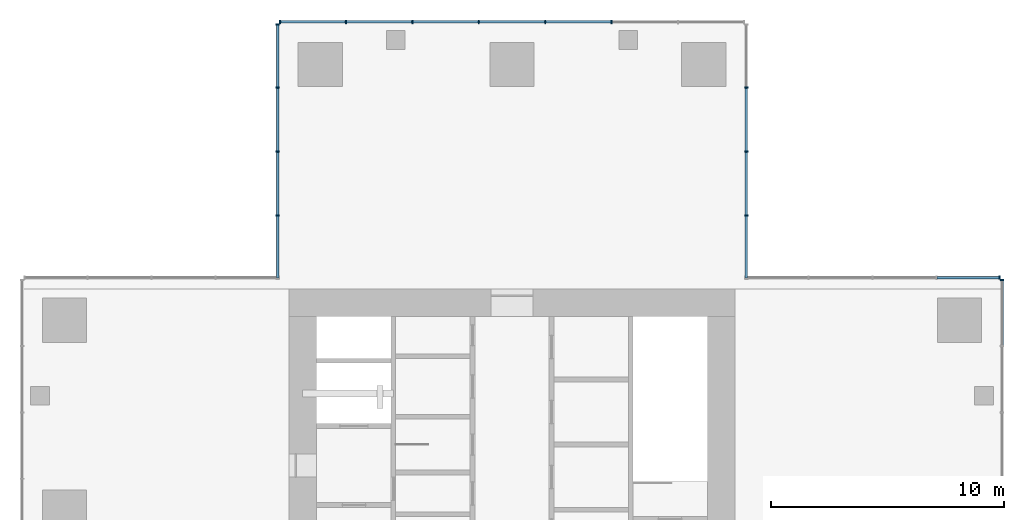
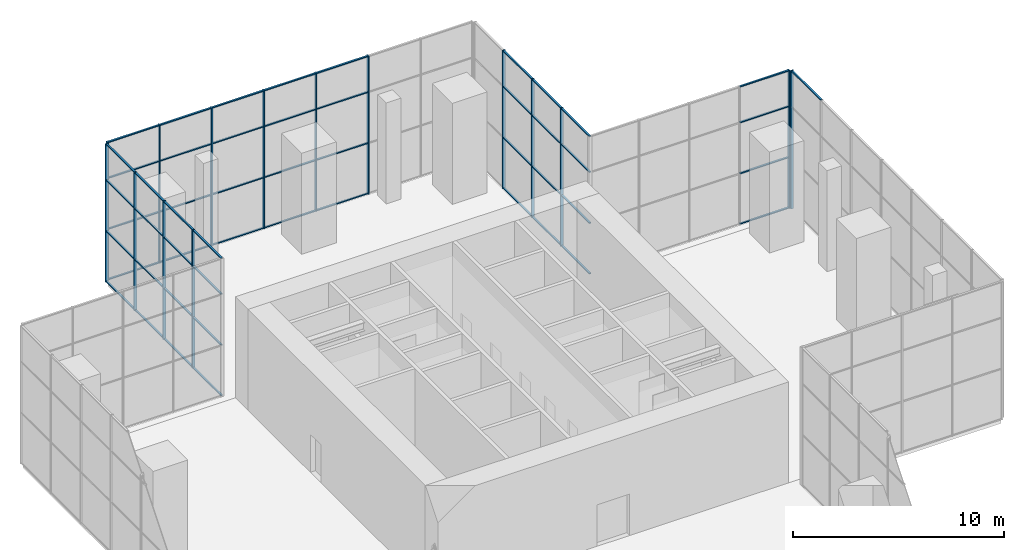
# One storey, part 6 of 12: 68 members, 5 elements without a shape of their own.
"""IFC4 building model written with IfcOpenShell, lengths in metres."""

from ifc_helpers import new_model, si_unit, direction, frame, origin, origin_2d, place, context, subcontext, project, spatial, rectangle, extrude, material, material_profile, profile_set, type_object, element, aggregate, save


model = new_model("IFC4")

# Units and contexts
model_context = context("Model", 3, precision=1e-05, world=origin(), true_north=direction((0.0, 1.0)))
body_context = subcontext(model_context, "Body", "Model", "MODEL_VIEW")
ifc_project = project(units=[si_unit("LENGTHUNIT", "METRE"), si_unit("AREAUNIT", "SQUARE_METRE"), si_unit("VOLUMEUNIT", "CUBIC_METRE"), si_unit("PLANEANGLEUNIT", "RADIAN"), si_unit("MASSUNIT", "GRAM", prefix="KILO")], contexts=[model_context])

# Site, building, storey
site_placement = place(None, origin())
site = spatial("IfcSite", under=ifc_project, at=site_placement, CompositionType="ELEMENT")
building_placement = place(site_placement, origin())
building = spatial("IfcBuilding", under=site, at=building_placement, Name="Svetlomir Tower", CompositionType="ELEMENT")
storey_placement = place(building_placement, frame((0.0, 0.0, 283.89990234375)))
storey = spatial("IfcBuildingStorey", under=building, at=storey_placement, Name="L67", CompositionType="ELEMENT", Elevation=283.89990234375)

# Curtain wall, member
ifc_material_1 = material(Name="Bronze anodised aluminium curtain wall", Category="aluminium")
curtain_wall_type = type_object("IfcCurtainWallType", Name="CURTAIN WALL CW6 LANTERN", PredefinedType="NOTDEFINED", material=ifc_material_1)
curtain_wall_1_placement = place(storey_placement, origin())
curtain_wall_1 = element("IfcCurtainWall", 1, at=curtain_wall_1_placement, inside=storey, type_object=curtain_wall_type, Name="Curtain wall CW6 L67", PredefinedType="NOTDEFINED")
ifc_material_2 = material(Name="Bronze anodised aluminium", Category="aluminium")
ifc_material_profile_1 = material_profile(ifc_material_2, rectangle(XDim=0.06005859375, YDim=0.159912109375, at=origin_2d()), Name="AL 60x160")
ifc_profile_set_1 = profile_set([ifc_material_profile_1], Name="Bronze anodised aluminium 6063-T6")
member_type_1 = type_object("IfcMemberType", Name="CW6 MULLION 60x160", PredefinedType="MULLION", material=ifc_profile_set_1)
member_1_placement = place(storey_placement, frame((42.080078125, 30.969970703125, 0.0), z_axis=(0.0, 0.0, 1.0), x_axis=(0.0, 1.0, 0.0)))
member_1 = element("IfcMember", 2, at=member_1_placement, type_object=member_type_1, Name="CW6 mullion 8", PredefinedType="MULLION", context=body_context, shape_type="SweptSolid", body=[
    extrude(rectangle(XDim=0.06005859375, YDim=0.159912109375, at=origin_2d()), origin(), (0.0, 0.0, 1.0), 8.0),
])

curtain_wall_2_placement = place(storey_placement, origin())
curtain_wall_2 = element("IfcCurtainWall", 3, at=curtain_wall_2_placement, inside=storey, type_object=curtain_wall_type, Name="Curtain wall CW6 L67", PredefinedType="NOTDEFINED")
member_2_placement = place(storey_placement, frame((41.969970703125, 31.080078125, 0.0), z_axis=(0.0, 0.0, 1.0), x_axis=(-1.0, 0.0, 0.0)))
member_2 = element("IfcMember", 4, at=member_2_placement, type_object=member_type_1, Name="CW6 mullion 1", PredefinedType="MULLION", context=body_context, shape_type="SweptSolid", body=[
    extrude(rectangle(XDim=0.06005859375, YDim=0.159912109375, at=origin_2d()), origin(), (0.0, 0.0, 1.0), 8.0),
])

# Curtain wall, members
curtain_wall_3_placement = place(storey_placement, origin())
curtain_wall_3 = element("IfcCurtainWall", 5, at=curtain_wall_3_placement, inside=storey, type_object=curtain_wall_type, Name="Curtain wall CW6 L67", PredefinedType="NOTDEFINED")
member_3_placement = place(storey_placement, frame((31.080078125, 33.75, 0.0), z_axis=(0.0, 0.0, 1.0), x_axis=(0.0, 1.0, 0.0)))
member_3 = element("IfcMember", 6, at=member_3_placement, type_object=member_type_1, Name="CW6 mullion 2", PredefinedType="MULLION", context=body_context, shape_type="SweptSolid", body=[
    extrude(rectangle(XDim=0.06005859375, YDim=0.159912109375, at=origin_2d()), origin(), (0.0, 0.0, 1.0), 8.0),
])
member_4_placement = place(storey_placement, frame((31.080078125, 36.5, 0.0), z_axis=(0.0, 0.0, 1.0), x_axis=(0.0, 1.0, 0.0)))
member_4 = element("IfcMember", 7, at=member_4_placement, type_object=member_type_1, Name="CW6 mullion 3", PredefinedType="MULLION", context=body_context, shape_type="SweptSolid", body=[
    extrude(rectangle(XDim=0.06005859375, YDim=0.159912109375, at=origin_2d()), origin(), (0.0, 0.0, 1.0), 8.0),
])
member_5_placement = place(storey_placement, frame((31.080078125, 39.25, 0.0), z_axis=(0.0, 0.0, 1.0), x_axis=(0.0, 1.0, 0.0)))
member_5 = element("IfcMember", 8, at=member_5_placement, type_object=member_type_1, Name="CW6 mullion 4", PredefinedType="MULLION", context=body_context, shape_type="SweptSolid", body=[
    extrude(rectangle(XDim=0.06005859375, YDim=0.159912109375, at=origin_2d()), origin(), (0.0, 0.0, 1.0), 8.0),
])

curtain_wall_4_placement = place(storey_placement, origin())
curtain_wall_4 = element("IfcCurtainWall", 9, at=curtain_wall_4_placement, inside=storey, type_object=curtain_wall_type, Name="Curtain wall CW6 L67", PredefinedType="NOTDEFINED")
member_6_placement = place(storey_placement, frame((25.28564453125, 42.080078125, 0.0), z_axis=(0.0, 0.0, 1.0), x_axis=(-1.0, 0.0, 0.0)))
member_6 = element("IfcMember", 10, at=member_6_placement, type_object=member_type_1, Name="CW6 mullion 3", PredefinedType="MULLION", context=body_context, shape_type="SweptSolid", body=[
    extrude(rectangle(XDim=0.06005859375, YDim=0.159912109375, at=origin_2d()), origin(), (0.0, 0.0, 1.0), 8.0),
])
member_7_placement = place(storey_placement, frame((22.428466796875, 42.080078125, 0.0), z_axis=(0.0, 0.0, 1.0), x_axis=(-1.0, 0.0, 0.0)))
member_7 = element("IfcMember", 11, at=member_7_placement, type_object=member_type_1, Name="CW6 mullion 4", PredefinedType="MULLION", context=body_context, shape_type="SweptSolid", body=[
    extrude(rectangle(XDim=0.06005859375, YDim=0.159912109375, at=origin_2d()), origin(), (0.0, 0.0, 1.0), 8.0),
])
member_8_placement = place(storey_placement, frame((19.571533203125, 42.080078125, 0.0), z_axis=(0.0, 0.0, 1.0), x_axis=(-1.0, 0.0, 0.0)))
member_8 = element("IfcMember", 12, at=member_8_placement, type_object=member_type_1, Name="CW6 mullion 5", PredefinedType="MULLION", context=body_context, shape_type="SweptSolid", body=[
    extrude(rectangle(XDim=0.06005859375, YDim=0.159912109375, at=origin_2d()), origin(), (0.0, 0.0, 1.0), 8.0),
])
member_9_placement = place(storey_placement, frame((16.71435546875, 42.080078125, 0.0), z_axis=(0.0, 0.0, 1.0), x_axis=(-1.0, 0.0, 0.0)))
member_9 = element("IfcMember", 13, at=member_9_placement, type_object=member_type_1, Name="CW6 mullion 6", PredefinedType="MULLION", context=body_context, shape_type="SweptSolid", body=[
    extrude(rectangle(XDim=0.06005859375, YDim=0.159912109375, at=origin_2d()), origin(), (0.0, 0.0, 1.0), 8.0),
])
member_10_placement = place(storey_placement, frame((13.857177734375, 42.080078125, 0.0), z_axis=(0.0, 0.0, 1.0), x_axis=(-1.0, 0.0, 0.0)))
member_10 = element("IfcMember", 14, at=member_10_placement, type_object=member_type_1, Name="CW6 mullion 7", PredefinedType="MULLION", context=body_context, shape_type="SweptSolid", body=[
    extrude(rectangle(XDim=0.06005859375, YDim=0.159912109375, at=origin_2d()), origin(), (0.0, 0.0, 1.0), 8.0),
])
member_11_placement = place(storey_placement, frame((11.030029296875, 42.080078125, 0.0), z_axis=(0.0, 0.0, 1.0), x_axis=(-1.0, 0.0, 0.0)))
member_11 = element("IfcMember", 15, at=member_11_placement, type_object=member_type_1, Name="CW6 mullion 8", PredefinedType="MULLION", context=body_context, shape_type="SweptSolid", body=[
    extrude(rectangle(XDim=0.06005859375, YDim=0.159912109375, at=origin_2d()), origin(), (0.0, 0.0, 1.0), 8.0),
])

curtain_wall_5_placement = place(storey_placement, origin())
curtain_wall_5 = element("IfcCurtainWall", 16, at=curtain_wall_5_placement, inside=storey, type_object=curtain_wall_type, Name="Curtain wall CW6 L67", PredefinedType="NOTDEFINED")
member_12_placement = place(storey_placement, frame((10.919921875, 41.969970703125, 0.0), z_axis=(0.0, 0.0, 1.0), x_axis=(0.0, -1.0, 0.0)))
member_12 = element("IfcMember", 17, at=member_12_placement, type_object=member_type_1, Name="CW6 mullion 1", PredefinedType="MULLION", context=body_context, shape_type="SweptSolid", body=[
    extrude(rectangle(XDim=0.06005859375, YDim=0.159912109375, at=origin_2d()), origin(), (0.0, 0.0, 1.0), 8.0),
])
member_13_placement = place(storey_placement, frame((10.919921875, 39.25, 0.0), z_axis=(0.0, 0.0, 1.0), x_axis=(0.0, -1.0, 0.0)))
member_13 = element("IfcMember", 18, at=member_13_placement, type_object=member_type_1, Name="CW6 mullion 2", PredefinedType="MULLION", context=body_context, shape_type="SweptSolid", body=[
    extrude(rectangle(XDim=0.06005859375, YDim=0.159912109375, at=origin_2d()), origin(), (0.0, 0.0, 1.0), 8.0),
])
member_14_placement = place(storey_placement, frame((10.919921875, 36.5, 0.0), z_axis=(0.0, 0.0, 1.0), x_axis=(0.0, -1.0, 0.0)))
member_14 = element("IfcMember", 19, at=member_14_placement, type_object=member_type_1, Name="CW6 mullion 3", PredefinedType="MULLION", context=body_context, shape_type="SweptSolid", body=[
    extrude(rectangle(XDim=0.06005859375, YDim=0.159912109375, at=origin_2d()), origin(), (0.0, 0.0, 1.0), 8.0),
])
member_15_placement = place(storey_placement, frame((10.919921875, 33.75, 0.0), z_axis=(0.0, 0.0, 1.0), x_axis=(0.0, -1.0, 0.0)))
member_15 = element("IfcMember", 20, at=member_15_placement, type_object=member_type_1, Name="CW6 mullion 4", PredefinedType="MULLION", context=body_context, shape_type="SweptSolid", body=[
    extrude(rectangle(XDim=0.06005859375, YDim=0.159912109375, at=origin_2d()), origin(), (0.0, 0.0, 1.0), 8.0),
])

# Member
ifc_material_3 = material(Name="Bronze anodised aluminium", Category="aluminium")
ifc_material_profile_2 = material_profile(ifc_material_3, rectangle(XDim=0.10009765625, YDim=0.06005859375, at=origin_2d()), Name="AL 100x60")
ifc_profile_set_2 = profile_set([ifc_material_profile_2], Name="Bronze anodised aluminium 6063-T6")
member_type_2 = type_object("IfcMemberType", Name="CW6 TRANSOM 60x100", PredefinedType="USERDEFINED", material=ifc_profile_set_2)
member_16_placement = place(storey_placement, frame((42.080078125, 28.1728515625, 7.97021484375), z_axis=(0.0, 1.0, 0.0), x_axis=(-1.0, 0.0, 0.0)))
member_16 = element("IfcMember", 21, at=member_16_placement, type_object=member_type_2, Name="CW6 transom 7.4", ObjectType="TRANSOM", PredefinedType="USERDEFINED", context=body_context, shape_type="SweptSolid", body=[
    extrude(rectangle(XDim=0.10009765625, YDim=0.06005859375, at=origin_2d()), origin(), (0.0, 0.0, 1.0), 2.76708984375),
])

aggregate(curtain_wall_1, [member_1, member_16])

member_17_placement = place(storey_placement, frame((41.93994140625, 31.080078125, 0.030029296875), z_axis=(-1.0, 0.0, 0.0), x_axis=(0.0, -1.0, 0.0)))
member_17 = element("IfcMember", 22, at=member_17_placement, type_object=member_type_2, Name="CW6 transom 1.1", ObjectType="TRANSOM", PredefinedType="USERDEFINED", context=body_context, shape_type="SweptSolid", body=[
    extrude(rectangle(XDim=0.10009765625, YDim=0.06005859375, at=origin_2d()), origin(), (0.0, 0.0, 1.0), 2.659912109375),
])

member_18_placement = place(storey_placement, frame((41.93994140625, 31.080078125, 2.9501953125), z_axis=(-1.0, 0.0, 0.0), x_axis=(0.0, -1.0, 0.0)))
member_18 = element("IfcMember", 23, at=member_18_placement, type_object=member_type_2, Name="CW6 transom 1.2", ObjectType="TRANSOM", PredefinedType="USERDEFINED", context=body_context, shape_type="SweptSolid", body=[
    extrude(rectangle(XDim=0.10009765625, YDim=0.06005859375, at=origin_2d()), origin(), (0.0, 0.0, 1.0), 2.659912109375),
])

member_19_placement = place(storey_placement, frame((41.93994140625, 31.080078125, 5.900146484375), z_axis=(-1.0, 0.0, 0.0), x_axis=(0.0, -1.0, 0.0)))
member_19 = element("IfcMember", 24, at=member_19_placement, type_object=member_type_2, Name="CW6 transom 1.3", ObjectType="TRANSOM", PredefinedType="USERDEFINED", context=body_context, shape_type="SweptSolid", body=[
    extrude(rectangle(XDim=0.10009765625, YDim=0.06005859375, at=origin_2d()), origin(), (0.0, 0.0, 1.0), 2.659912109375),
])

member_20_placement = place(storey_placement, frame((41.93994140625, 31.080078125, 7.97021484375), z_axis=(-1.0, 0.0, 0.0), x_axis=(0.0, -1.0, 0.0)))
member_20 = element("IfcMember", 25, at=member_20_placement, type_object=member_type_2, Name="CW6 transom 1.4", ObjectType="TRANSOM", PredefinedType="USERDEFINED", context=body_context, shape_type="SweptSolid", body=[
    extrude(rectangle(XDim=0.10009765625, YDim=0.06005859375, at=origin_2d()), origin(), (0.0, 0.0, 1.0), 2.659912109375),
])

aggregate(curtain_wall_2, [member_2, member_17, member_18, member_19, member_20])

member_21_placement = place(storey_placement, frame((31.080078125, 31.06005859375, 0.030029296875), z_axis=(0.0, 1.0, 0.0), x_axis=(-1.0, 0.0, 0.0)))
member_21 = element("IfcMember", 26, at=member_21_placement, type_object=member_type_2, Name="CW6 transom 1.1", ObjectType="TRANSOM", PredefinedType="USERDEFINED", context=body_context, shape_type="SweptSolid", body=[
    extrude(rectangle(XDim=0.10009765625, YDim=0.06005859375, at=origin_2d()), origin(), (0.0, 0.0, 1.0), 2.659912109375),
])

member_22_placement = place(storey_placement, frame((31.080078125, 31.06005859375, 2.9501953125), z_axis=(0.0, 1.0, 0.0), x_axis=(-1.0, 0.0, 0.0)))
member_22 = element("IfcMember", 27, at=member_22_placement, type_object=member_type_2, Name="CW6 transom 1.2", ObjectType="TRANSOM", PredefinedType="USERDEFINED", context=body_context, shape_type="SweptSolid", body=[
    extrude(rectangle(XDim=0.10009765625, YDim=0.06005859375, at=origin_2d()), origin(), (0.0, 0.0, 1.0), 2.659912109375),
])

member_23_placement = place(storey_placement, frame((31.080078125, 31.06005859375, 5.900146484375), z_axis=(0.0, 1.0, 0.0), x_axis=(-1.0, 0.0, 0.0)))
member_23 = element("IfcMember", 28, at=member_23_placement, type_object=member_type_2, Name="CW6 transom 1.3", ObjectType="TRANSOM", PredefinedType="USERDEFINED", context=body_context, shape_type="SweptSolid", body=[
    extrude(rectangle(XDim=0.10009765625, YDim=0.06005859375, at=origin_2d()), origin(), (0.0, 0.0, 1.0), 2.659912109375),
])

member_24_placement = place(storey_placement, frame((31.080078125, 31.06005859375, 7.97021484375), z_axis=(0.0, 1.0, 0.0), x_axis=(-1.0, 0.0, 0.0)))
member_24 = element("IfcMember", 29, at=member_24_placement, type_object=member_type_2, Name="CW6 transom 1.4", ObjectType="TRANSOM", PredefinedType="USERDEFINED", context=body_context, shape_type="SweptSolid", body=[
    extrude(rectangle(XDim=0.10009765625, YDim=0.06005859375, at=origin_2d()), origin(), (0.0, 0.0, 1.0), 2.659912109375),
])

member_25_placement = place(storey_placement, frame((31.080078125, 33.780029296875, 0.030029296875), z_axis=(0.0, 1.0, 0.0), x_axis=(-1.0, 0.0, 0.0)))
member_25 = element("IfcMember", 30, at=member_25_placement, type_object=member_type_2, Name="CW6 transom 2.1", ObjectType="TRANSOM", PredefinedType="USERDEFINED", context=body_context, shape_type="SweptSolid", body=[
    extrude(rectangle(XDim=0.10009765625, YDim=0.06005859375, at=origin_2d()), origin(), (0.0, 0.0, 1.0), 2.68994140625),
])

member_26_placement = place(storey_placement, frame((31.080078125, 33.780029296875, 2.9501953125), z_axis=(0.0, 1.0, 0.0), x_axis=(-1.0, 0.0, 0.0)))
member_26 = element("IfcMember", 31, at=member_26_placement, type_object=member_type_2, Name="CW6 transom 2.2", ObjectType="TRANSOM", PredefinedType="USERDEFINED", context=body_context, shape_type="SweptSolid", body=[
    extrude(rectangle(XDim=0.10009765625, YDim=0.06005859375, at=origin_2d()), origin(), (0.0, 0.0, 1.0), 2.68994140625),
])

member_27_placement = place(storey_placement, frame((31.080078125, 33.780029296875, 5.900146484375), z_axis=(0.0, 1.0, 0.0), x_axis=(-1.0, 0.0, 0.0)))
member_27 = element("IfcMember", 32, at=member_27_placement, type_object=member_type_2, Name="CW6 transom 2.3", ObjectType="TRANSOM", PredefinedType="USERDEFINED", context=body_context, shape_type="SweptSolid", body=[
    extrude(rectangle(XDim=0.10009765625, YDim=0.06005859375, at=origin_2d()), origin(), (0.0, 0.0, 1.0), 2.68994140625),
])

member_28_placement = place(storey_placement, frame((31.080078125, 33.780029296875, 7.97021484375), z_axis=(0.0, 1.0, 0.0), x_axis=(-1.0, 0.0, 0.0)))
member_28 = element("IfcMember", 33, at=member_28_placement, type_object=member_type_2, Name="CW6 transom 2.4", ObjectType="TRANSOM", PredefinedType="USERDEFINED", context=body_context, shape_type="SweptSolid", body=[
    extrude(rectangle(XDim=0.10009765625, YDim=0.06005859375, at=origin_2d()), origin(), (0.0, 0.0, 1.0), 2.68994140625),
])

member_29_placement = place(storey_placement, frame((31.080078125, 36.530029296875, 0.030029296875), z_axis=(0.0, 1.0, 0.0), x_axis=(-1.0, 0.0, 0.0)))
member_29 = element("IfcMember", 34, at=member_29_placement, type_object=member_type_2, Name="CW6 transom 3.1", ObjectType="TRANSOM", PredefinedType="USERDEFINED", context=body_context, shape_type="SweptSolid", body=[
    extrude(rectangle(XDim=0.10009765625, YDim=0.06005859375, at=origin_2d()), origin(), (0.0, 0.0, 1.0), 2.68994140625),
])

member_30_placement = place(storey_placement, frame((31.080078125, 36.530029296875, 2.9501953125), z_axis=(0.0, 1.0, 0.0), x_axis=(-1.0, 0.0, 0.0)))
member_30 = element("IfcMember", 35, at=member_30_placement, type_object=member_type_2, Name="CW6 transom 3.2", ObjectType="TRANSOM", PredefinedType="USERDEFINED", context=body_context, shape_type="SweptSolid", body=[
    extrude(rectangle(XDim=0.10009765625, YDim=0.06005859375, at=origin_2d()), origin(), (0.0, 0.0, 1.0), 2.68994140625),
])

member_31_placement = place(storey_placement, frame((31.080078125, 36.530029296875, 5.900146484375), z_axis=(0.0, 1.0, 0.0), x_axis=(-1.0, 0.0, 0.0)))
member_31 = element("IfcMember", 36, at=member_31_placement, type_object=member_type_2, Name="CW6 transom 3.3", ObjectType="TRANSOM", PredefinedType="USERDEFINED", context=body_context, shape_type="SweptSolid", body=[
    extrude(rectangle(XDim=0.10009765625, YDim=0.06005859375, at=origin_2d()), origin(), (0.0, 0.0, 1.0), 2.68994140625),
])

member_32_placement = place(storey_placement, frame((31.080078125, 36.530029296875, 7.97021484375), z_axis=(0.0, 1.0, 0.0), x_axis=(-1.0, 0.0, 0.0)))
member_32 = element("IfcMember", 37, at=member_32_placement, type_object=member_type_2, Name="CW6 transom 3.4", ObjectType="TRANSOM", PredefinedType="USERDEFINED", context=body_context, shape_type="SweptSolid", body=[
    extrude(rectangle(XDim=0.10009765625, YDim=0.06005859375, at=origin_2d()), origin(), (0.0, 0.0, 1.0), 2.68994140625),
])

aggregate(curtain_wall_3, [member_3, member_4, member_5, member_21, member_22, member_23, member_24, member_25, member_26, member_27, member_28, member_29, member_30, member_31, member_32])

member_33_placement = place(storey_placement, frame((25.255615234375, 42.080078125, 0.030029296875), z_axis=(-1.0, 0.0, 0.0), x_axis=(0.0, -1.0, 0.0)))
member_33 = element("IfcMember", 38, at=member_33_placement, type_object=member_type_2, Name="CW6 transom 3.1", ObjectType="TRANSOM", PredefinedType="USERDEFINED", context=body_context, shape_type="SweptSolid", body=[
    extrude(rectangle(XDim=0.10009765625, YDim=0.06005859375, at=origin_2d()), origin(), (0.0, 0.0, 1.0), 2.797119140625),
])

member_34_placement = place(storey_placement, frame((25.255615234375, 42.080078125, 2.9501953125), z_axis=(-1.0, 0.0, 0.0), x_axis=(0.0, -1.0, 0.0)))
member_34 = element("IfcMember", 39, at=member_34_placement, type_object=member_type_2, Name="CW6 transom 3.2", ObjectType="TRANSOM", PredefinedType="USERDEFINED", context=body_context, shape_type="SweptSolid", body=[
    extrude(rectangle(XDim=0.10009765625, YDim=0.06005859375, at=origin_2d()), origin(), (0.0, 0.0, 1.0), 2.797119140625),
])

member_35_placement = place(storey_placement, frame((25.255615234375, 42.080078125, 5.900146484375), z_axis=(-1.0, 0.0, 0.0), x_axis=(0.0, -1.0, 0.0)))
member_35 = element("IfcMember", 40, at=member_35_placement, type_object=member_type_2, Name="CW6 transom 3.3", ObjectType="TRANSOM", PredefinedType="USERDEFINED", context=body_context, shape_type="SweptSolid", body=[
    extrude(rectangle(XDim=0.10009765625, YDim=0.06005859375, at=origin_2d()), origin(), (0.0, 0.0, 1.0), 2.797119140625),
])

member_36_placement = place(storey_placement, frame((25.255615234375, 42.080078125, 7.97021484375), z_axis=(-1.0, 0.0, 0.0), x_axis=(0.0, -1.0, 0.0)))
member_36 = element("IfcMember", 41, at=member_36_placement, type_object=member_type_2, Name="CW6 transom 3.4", ObjectType="TRANSOM", PredefinedType="USERDEFINED", context=body_context, shape_type="SweptSolid", body=[
    extrude(rectangle(XDim=0.10009765625, YDim=0.06005859375, at=origin_2d()), origin(), (0.0, 0.0, 1.0), 2.797119140625),
])

member_37_placement = place(storey_placement, frame((22.398681640625, 42.080078125, 0.030029296875), z_axis=(-1.0, 0.0, 0.0), x_axis=(0.0, -1.0, 0.0)))
member_37 = element("IfcMember", 42, at=member_37_placement, type_object=member_type_2, Name="CW6 transom 4.1", ObjectType="TRANSOM", PredefinedType="USERDEFINED", context=body_context, shape_type="SweptSolid", body=[
    extrude(rectangle(XDim=0.10009765625, YDim=0.06005859375, at=origin_2d()), origin(), (0.0, 0.0, 1.0), 2.79736328125),
])

member_38_placement = place(storey_placement, frame((22.398681640625, 42.080078125, 2.9501953125), z_axis=(-1.0, 0.0, 0.0), x_axis=(0.0, -1.0, 0.0)))
member_38 = element("IfcMember", 43, at=member_38_placement, type_object=member_type_2, Name="CW6 transom 4.2", ObjectType="TRANSOM", PredefinedType="USERDEFINED", context=body_context, shape_type="SweptSolid", body=[
    extrude(rectangle(XDim=0.10009765625, YDim=0.06005859375, at=origin_2d()), origin(), (0.0, 0.0, 1.0), 2.79736328125),
])

member_39_placement = place(storey_placement, frame((22.398681640625, 42.080078125, 5.900146484375), z_axis=(-1.0, 0.0, 0.0), x_axis=(0.0, -1.0, 0.0)))
member_39 = element("IfcMember", 44, at=member_39_placement, type_object=member_type_2, Name="CW6 transom 4.3", ObjectType="TRANSOM", PredefinedType="USERDEFINED", context=body_context, shape_type="SweptSolid", body=[
    extrude(rectangle(XDim=0.10009765625, YDim=0.06005859375, at=origin_2d()), origin(), (0.0, 0.0, 1.0), 2.79736328125),
])

member_40_placement = place(storey_placement, frame((22.398681640625, 42.080078125, 7.97021484375), z_axis=(-1.0, 0.0, 0.0), x_axis=(0.0, -1.0, 0.0)))
member_40 = element("IfcMember", 45, at=member_40_placement, type_object=member_type_2, Name="CW6 transom 4.4", ObjectType="TRANSOM", PredefinedType="USERDEFINED", context=body_context, shape_type="SweptSolid", body=[
    extrude(rectangle(XDim=0.10009765625, YDim=0.06005859375, at=origin_2d()), origin(), (0.0, 0.0, 1.0), 2.79736328125),
])

member_41_placement = place(storey_placement, frame((19.54150390625, 42.080078125, 0.030029296875), z_axis=(-1.0, 0.0, 0.0), x_axis=(0.0, -1.0, 0.0)))
member_41 = element("IfcMember", 46, at=member_41_placement, type_object=member_type_2, Name="CW6 transom 5.1", ObjectType="TRANSOM", PredefinedType="USERDEFINED", context=body_context, shape_type="SweptSolid", body=[
    extrude(rectangle(XDim=0.10009765625, YDim=0.06005859375, at=origin_2d()), origin(), (0.0, 0.0, 1.0), 2.797119140625),
])

member_42_placement = place(storey_placement, frame((19.54150390625, 42.080078125, 2.9501953125), z_axis=(-1.0, 0.0, 0.0), x_axis=(0.0, -1.0, 0.0)))
member_42 = element("IfcMember", 47, at=member_42_placement, type_object=member_type_2, Name="CW6 transom 5.2", ObjectType="TRANSOM", PredefinedType="USERDEFINED", context=body_context, shape_type="SweptSolid", body=[
    extrude(rectangle(XDim=0.10009765625, YDim=0.06005859375, at=origin_2d()), origin(), (0.0, 0.0, 1.0), 2.797119140625),
])

member_43_placement = place(storey_placement, frame((19.54150390625, 42.080078125, 5.900146484375), z_axis=(-1.0, 0.0, 0.0), x_axis=(0.0, -1.0, 0.0)))
member_43 = element("IfcMember", 48, at=member_43_placement, type_object=member_type_2, Name="CW6 transom 5.3", ObjectType="TRANSOM", PredefinedType="USERDEFINED", context=body_context, shape_type="SweptSolid", body=[
    extrude(rectangle(XDim=0.10009765625, YDim=0.06005859375, at=origin_2d()), origin(), (0.0, 0.0, 1.0), 2.797119140625),
])

member_44_placement = place(storey_placement, frame((19.54150390625, 42.080078125, 7.97021484375), z_axis=(-1.0, 0.0, 0.0), x_axis=(0.0, -1.0, 0.0)))
member_44 = element("IfcMember", 49, at=member_44_placement, type_object=member_type_2, Name="CW6 transom 5.4", ObjectType="TRANSOM", PredefinedType="USERDEFINED", context=body_context, shape_type="SweptSolid", body=[
    extrude(rectangle(XDim=0.10009765625, YDim=0.06005859375, at=origin_2d()), origin(), (0.0, 0.0, 1.0), 2.797119140625),
])

member_45_placement = place(storey_placement, frame((16.684326171875, 42.080078125, 0.030029296875), z_axis=(-1.0, 0.0, 0.0), x_axis=(0.0, -1.0, 0.0)))
member_45 = element("IfcMember", 50, at=member_45_placement, type_object=member_type_2, Name="CW6 transom 6.1", ObjectType="TRANSOM", PredefinedType="USERDEFINED", context=body_context, shape_type="SweptSolid", body=[
    extrude(rectangle(XDim=0.10009765625, YDim=0.06005859375, at=origin_2d()), origin(), (0.0, 0.0, 1.0), 2.797119140625),
])

member_46_placement = place(storey_placement, frame((16.684326171875, 42.080078125, 2.9501953125), z_axis=(-1.0, 0.0, 0.0), x_axis=(0.0, -1.0, 0.0)))
member_46 = element("IfcMember", 51, at=member_46_placement, type_object=member_type_2, Name="CW6 transom 6.2", ObjectType="TRANSOM", PredefinedType="USERDEFINED", context=body_context, shape_type="SweptSolid", body=[
    extrude(rectangle(XDim=0.10009765625, YDim=0.06005859375, at=origin_2d()), origin(), (0.0, 0.0, 1.0), 2.797119140625),
])

member_47_placement = place(storey_placement, frame((16.684326171875, 42.080078125, 5.900146484375), z_axis=(-1.0, 0.0, 0.0), x_axis=(0.0, -1.0, 0.0)))
member_47 = element("IfcMember", 52, at=member_47_placement, type_object=member_type_2, Name="CW6 transom 6.3", ObjectType="TRANSOM", PredefinedType="USERDEFINED", context=body_context, shape_type="SweptSolid", body=[
    extrude(rectangle(XDim=0.10009765625, YDim=0.06005859375, at=origin_2d()), origin(), (0.0, 0.0, 1.0), 2.797119140625),
])

member_48_placement = place(storey_placement, frame((16.684326171875, 42.080078125, 7.97021484375), z_axis=(-1.0, 0.0, 0.0), x_axis=(0.0, -1.0, 0.0)))
member_48 = element("IfcMember", 53, at=member_48_placement, type_object=member_type_2, Name="CW6 transom 6.4", ObjectType="TRANSOM", PredefinedType="USERDEFINED", context=body_context, shape_type="SweptSolid", body=[
    extrude(rectangle(XDim=0.10009765625, YDim=0.06005859375, at=origin_2d()), origin(), (0.0, 0.0, 1.0), 2.797119140625),
])

member_49_placement = place(storey_placement, frame((13.8271484375, 42.080078125, 0.030029296875), z_axis=(-1.0, 0.0, 0.0), x_axis=(0.0, -1.0, 0.0)))
member_49 = element("IfcMember", 54, at=member_49_placement, type_object=member_type_2, Name="CW6 transom 7.1", ObjectType="TRANSOM", PredefinedType="USERDEFINED", context=body_context, shape_type="SweptSolid", body=[
    extrude(rectangle(XDim=0.10009765625, YDim=0.06005859375, at=origin_2d()), origin(), (0.0, 0.0, 1.0), 2.76708984375),
])

member_50_placement = place(storey_placement, frame((13.8271484375, 42.080078125, 2.9501953125), z_axis=(-1.0, 0.0, 0.0), x_axis=(0.0, -1.0, 0.0)))
member_50 = element("IfcMember", 55, at=member_50_placement, type_object=member_type_2, Name="CW6 transom 7.2", ObjectType="TRANSOM", PredefinedType="USERDEFINED", context=body_context, shape_type="SweptSolid", body=[
    extrude(rectangle(XDim=0.10009765625, YDim=0.06005859375, at=origin_2d()), origin(), (0.0, 0.0, 1.0), 2.76708984375),
])

member_51_placement = place(storey_placement, frame((13.8271484375, 42.080078125, 5.900146484375), z_axis=(-1.0, 0.0, 0.0), x_axis=(0.0, -1.0, 0.0)))
member_51 = element("IfcMember", 56, at=member_51_placement, type_object=member_type_2, Name="CW6 transom 7.3", ObjectType="TRANSOM", PredefinedType="USERDEFINED", context=body_context, shape_type="SweptSolid", body=[
    extrude(rectangle(XDim=0.10009765625, YDim=0.06005859375, at=origin_2d()), origin(), (0.0, 0.0, 1.0), 2.76708984375),
])

member_52_placement = place(storey_placement, frame((13.8271484375, 42.080078125, 7.97021484375), z_axis=(-1.0, 0.0, 0.0), x_axis=(0.0, -1.0, 0.0)))
member_52 = element("IfcMember", 57, at=member_52_placement, type_object=member_type_2, Name="CW6 transom 7.4", ObjectType="TRANSOM", PredefinedType="USERDEFINED", context=body_context, shape_type="SweptSolid", body=[
    extrude(rectangle(XDim=0.10009765625, YDim=0.06005859375, at=origin_2d()), origin(), (0.0, 0.0, 1.0), 2.76708984375),
])

aggregate(curtain_wall_4, [member_6, member_7, member_8, member_9, member_10, member_11, member_33, member_34, member_35, member_36, member_37, member_38, member_39, member_40, member_41, member_42, member_43, member_44, member_45, member_46, member_47, member_48, member_49, member_50, member_51, member_52])

member_53_placement = place(storey_placement, frame((10.919921875, 41.93994140625, 0.030029296875), z_axis=(0.0, -1.0, 0.0), x_axis=(1.0, 0.0, 0.0)))
member_53 = element("IfcMember", 58, at=member_53_placement, type_object=member_type_2, Name="CW6 transom 1.1", ObjectType="TRANSOM", PredefinedType="USERDEFINED", context=body_context, shape_type="SweptSolid", body=[
    extrude(rectangle(XDim=0.10009765625, YDim=0.06005859375, at=origin_2d()), origin(), (0.0, 0.0, 1.0), 2.659912109375),
])

member_54_placement = place(storey_placement, frame((10.919921875, 41.93994140625, 2.9501953125), z_axis=(0.0, -1.0, 0.0), x_axis=(1.0, 0.0, 0.0)))
member_54 = element("IfcMember", 59, at=member_54_placement, type_object=member_type_2, Name="CW6 transom 1.2", ObjectType="TRANSOM", PredefinedType="USERDEFINED", context=body_context, shape_type="SweptSolid", body=[
    extrude(rectangle(XDim=0.10009765625, YDim=0.06005859375, at=origin_2d()), origin(), (0.0, 0.0, 1.0), 2.659912109375),
])

member_55_placement = place(storey_placement, frame((10.919921875, 41.93994140625, 5.900146484375), z_axis=(0.0, -1.0, 0.0), x_axis=(1.0, 0.0, 0.0)))
member_55 = element("IfcMember", 60, at=member_55_placement, type_object=member_type_2, Name="CW6 transom 1.3", ObjectType="TRANSOM", PredefinedType="USERDEFINED", context=body_context, shape_type="SweptSolid", body=[
    extrude(rectangle(XDim=0.10009765625, YDim=0.06005859375, at=origin_2d()), origin(), (0.0, 0.0, 1.0), 2.659912109375),
])

member_56_placement = place(storey_placement, frame((10.919921875, 41.93994140625, 7.97021484375), z_axis=(0.0, -1.0, 0.0), x_axis=(1.0, 0.0, 0.0)))
member_56 = element("IfcMember", 61, at=member_56_placement, type_object=member_type_2, Name="CW6 transom 1.4", ObjectType="TRANSOM", PredefinedType="USERDEFINED", context=body_context, shape_type="SweptSolid", body=[
    extrude(rectangle(XDim=0.10009765625, YDim=0.06005859375, at=origin_2d()), origin(), (0.0, 0.0, 1.0), 2.659912109375),
])

member_57_placement = place(storey_placement, frame((10.919921875, 39.219970703125, 0.030029296875), z_axis=(0.0, -1.0, 0.0), x_axis=(1.0, 0.0, 0.0)))
member_57 = element("IfcMember", 62, at=member_57_placement, type_object=member_type_2, Name="CW6 transom 2.1", ObjectType="TRANSOM", PredefinedType="USERDEFINED", context=body_context, shape_type="SweptSolid", body=[
    extrude(rectangle(XDim=0.10009765625, YDim=0.06005859375, at=origin_2d()), origin(), (0.0, 0.0, 1.0), 2.68994140625),
])

member_58_placement = place(storey_placement, frame((10.919921875, 39.219970703125, 2.9501953125), z_axis=(0.0, -1.0, 0.0), x_axis=(1.0, 0.0, 0.0)))
member_58 = element("IfcMember", 63, at=member_58_placement, type_object=member_type_2, Name="CW6 transom 2.2", ObjectType="TRANSOM", PredefinedType="USERDEFINED", context=body_context, shape_type="SweptSolid", body=[
    extrude(rectangle(XDim=0.10009765625, YDim=0.06005859375, at=origin_2d()), origin(), (0.0, 0.0, 1.0), 2.68994140625),
])

member_59_placement = place(storey_placement, frame((10.919921875, 39.219970703125, 5.900146484375), z_axis=(0.0, -1.0, 0.0), x_axis=(1.0, 0.0, 0.0)))
member_59 = element("IfcMember", 64, at=member_59_placement, type_object=member_type_2, Name="CW6 transom 2.3", ObjectType="TRANSOM", PredefinedType="USERDEFINED", context=body_context, shape_type="SweptSolid", body=[
    extrude(rectangle(XDim=0.10009765625, YDim=0.06005859375, at=origin_2d()), origin(), (0.0, 0.0, 1.0), 2.68994140625),
])

member_60_placement = place(storey_placement, frame((10.919921875, 39.219970703125, 7.97021484375), z_axis=(0.0, -1.0, 0.0), x_axis=(1.0, 0.0, 0.0)))
member_60 = element("IfcMember", 65, at=member_60_placement, type_object=member_type_2, Name="CW6 transom 2.4", ObjectType="TRANSOM", PredefinedType="USERDEFINED", context=body_context, shape_type="SweptSolid", body=[
    extrude(rectangle(XDim=0.10009765625, YDim=0.06005859375, at=origin_2d()), origin(), (0.0, 0.0, 1.0), 2.68994140625),
])

member_61_placement = place(storey_placement, frame((10.919921875, 36.469970703125, 0.030029296875), z_axis=(0.0, -1.0, 0.0), x_axis=(1.0, 0.0, 0.0)))
member_61 = element("IfcMember", 66, at=member_61_placement, type_object=member_type_2, Name="CW6 transom 3.1", ObjectType="TRANSOM", PredefinedType="USERDEFINED", context=body_context, shape_type="SweptSolid", body=[
    extrude(rectangle(XDim=0.10009765625, YDim=0.06005859375, at=origin_2d()), origin(), (0.0, 0.0, 1.0), 2.68994140625),
])

member_62_placement = place(storey_placement, frame((10.919921875, 36.469970703125, 2.9501953125), z_axis=(0.0, -1.0, 0.0), x_axis=(1.0, 0.0, 0.0)))
member_62 = element("IfcMember", 67, at=member_62_placement, type_object=member_type_2, Name="CW6 transom 3.2", ObjectType="TRANSOM", PredefinedType="USERDEFINED", context=body_context, shape_type="SweptSolid", body=[
    extrude(rectangle(XDim=0.10009765625, YDim=0.06005859375, at=origin_2d()), origin(), (0.0, 0.0, 1.0), 2.68994140625),
])

member_63_placement = place(storey_placement, frame((10.919921875, 36.469970703125, 5.900146484375), z_axis=(0.0, -1.0, 0.0), x_axis=(1.0, 0.0, 0.0)))
member_63 = element("IfcMember", 68, at=member_63_placement, type_object=member_type_2, Name="CW6 transom 3.3", ObjectType="TRANSOM", PredefinedType="USERDEFINED", context=body_context, shape_type="SweptSolid", body=[
    extrude(rectangle(XDim=0.10009765625, YDim=0.06005859375, at=origin_2d()), origin(), (0.0, 0.0, 1.0), 2.68994140625),
])

member_64_placement = place(storey_placement, frame((10.919921875, 36.469970703125, 7.97021484375), z_axis=(0.0, -1.0, 0.0), x_axis=(1.0, 0.0, 0.0)))
member_64 = element("IfcMember", 69, at=member_64_placement, type_object=member_type_2, Name="CW6 transom 3.4", ObjectType="TRANSOM", PredefinedType="USERDEFINED", context=body_context, shape_type="SweptSolid", body=[
    extrude(rectangle(XDim=0.10009765625, YDim=0.06005859375, at=origin_2d()), origin(), (0.0, 0.0, 1.0), 2.68994140625),
])

member_65_placement = place(storey_placement, frame((10.919921875, 33.719970703125, 0.030029296875), z_axis=(0.0, -1.0, 0.0), x_axis=(1.0, 0.0, 0.0)))
member_65 = element("IfcMember", 70, at=member_65_placement, type_object=member_type_2, Name="CW6 transom 4.1", ObjectType="TRANSOM", PredefinedType="USERDEFINED", context=body_context, shape_type="SweptSolid", body=[
    extrude(rectangle(XDim=0.10009765625, YDim=0.06005859375, at=origin_2d()), origin(), (0.0, 0.0, 1.0), 2.659912109375),
])

member_66_placement = place(storey_placement, frame((10.919921875, 33.719970703125, 2.9501953125), z_axis=(0.0, -1.0, 0.0), x_axis=(1.0, 0.0, 0.0)))
member_66 = element("IfcMember", 71, at=member_66_placement, type_object=member_type_2, Name="CW6 transom 4.2", ObjectType="TRANSOM", PredefinedType="USERDEFINED", context=body_context, shape_type="SweptSolid", body=[
    extrude(rectangle(XDim=0.10009765625, YDim=0.06005859375, at=origin_2d()), origin(), (0.0, 0.0, 1.0), 2.659912109375),
])

member_67_placement = place(storey_placement, frame((10.919921875, 33.719970703125, 5.900146484375), z_axis=(0.0, -1.0, 0.0), x_axis=(1.0, 0.0, 0.0)))
member_67 = element("IfcMember", 72, at=member_67_placement, type_object=member_type_2, Name="CW6 transom 4.3", ObjectType="TRANSOM", PredefinedType="USERDEFINED", context=body_context, shape_type="SweptSolid", body=[
    extrude(rectangle(XDim=0.10009765625, YDim=0.06005859375, at=origin_2d()), origin(), (0.0, 0.0, 1.0), 2.659912109375),
])

member_68_placement = place(storey_placement, frame((10.919921875, 33.719970703125, 7.97021484375), z_axis=(0.0, -1.0, 0.0), x_axis=(1.0, 0.0, 0.0)))
member_68 = element("IfcMember", 73, at=member_68_placement, type_object=member_type_2, Name="CW6 transom 4.4", ObjectType="TRANSOM", PredefinedType="USERDEFINED", context=body_context, shape_type="SweptSolid", body=[
    extrude(rectangle(XDim=0.10009765625, YDim=0.06005859375, at=origin_2d()), origin(), (0.0, 0.0, 1.0), 2.659912109375),
])

aggregate(curtain_wall_5, [member_12, member_13, member_14, member_15, member_53, member_54, member_55, member_56, member_57, member_58, member_59, member_60, member_61, member_62, member_63, member_64, member_65, member_66, member_67, member_68])

save(model, "model.ifc")
